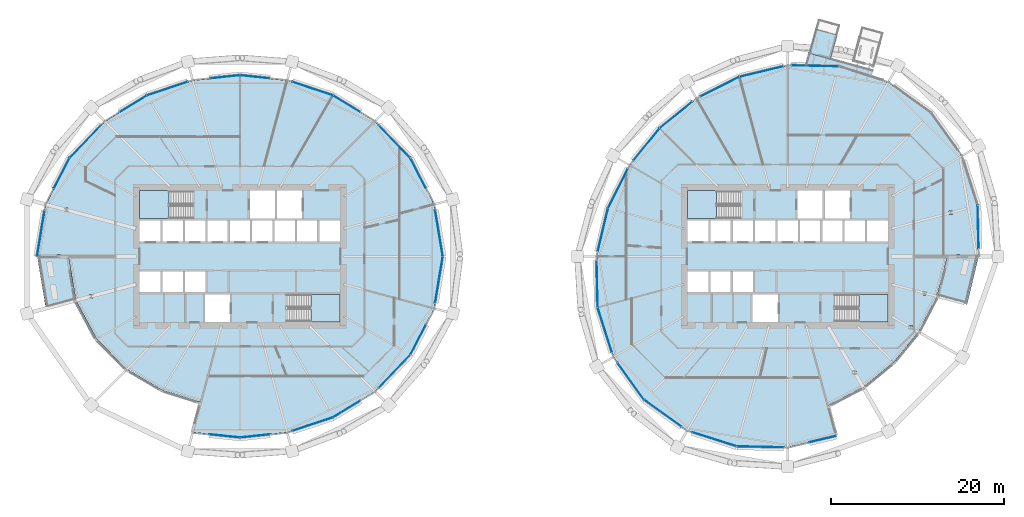
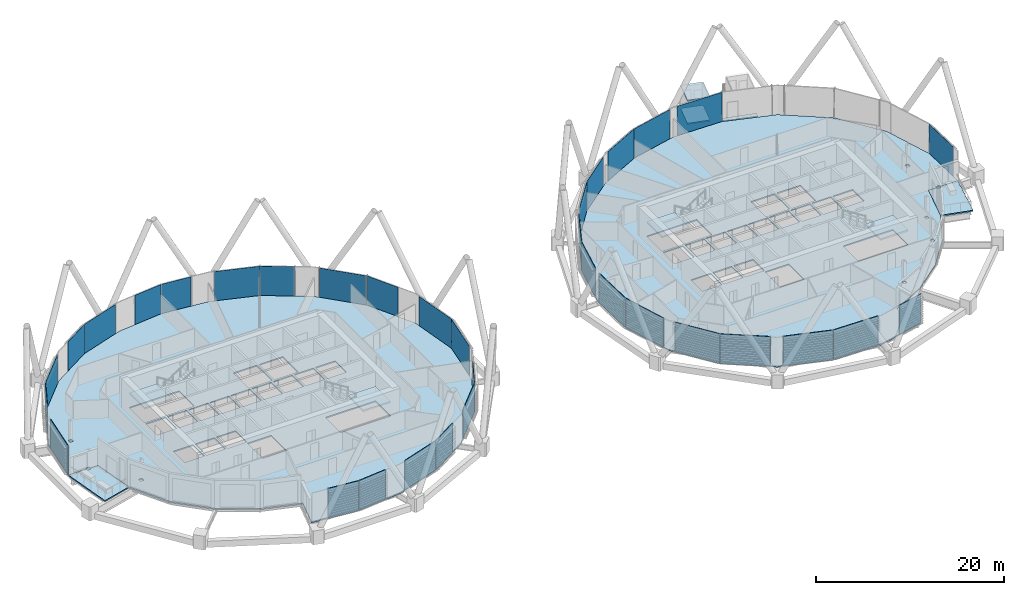
# One storey, part 21 of 38: 34 plates, 11 slabs, 6 elements without a shape of their own.
"""IFC4 building model written with IfcOpenShell, lengths in metres."""

from ifc_helpers import new_model, si_unit, direction, frame, origin, origin_2d, place, context, subcontext, project, spatial, polyline, rectangle, outline, extrude, material, layer, layer_set, type_object, element, aggregate, save


model = new_model("IFC4")

# Units and contexts
model_context = context("Model", 3, precision=1e-05, world=origin(), true_north=direction((0.0, 1.0)))
body_context = subcontext(model_context, "Body", "Model", "MODEL_VIEW")
ifc_project = project(units=[si_unit("LENGTHUNIT", "METRE"), si_unit("AREAUNIT", "SQUARE_METRE"), si_unit("VOLUMEUNIT", "CUBIC_METRE"), si_unit("PLANEANGLEUNIT", "RADIAN"), si_unit("MASSUNIT", "GRAM", prefix="KILO")], contexts=[model_context])

# Site, building, storey
site_placement = place(None, origin())
site = spatial("IfcSite", under=ifc_project, at=site_placement, CompositionType="ELEMENT")
building_placement = place(site_placement, origin())
building = spatial("IfcBuilding", under=site, at=building_placement, Name="Rimbun Link Towers", CompositionType="ELEMENT")
storey_placement = place(building_placement, frame((0.0, 0.0, 93.0)))
storey = spatial("IfcBuildingStorey", under=building, at=storey_placement, Name="L22", CompositionType="ELEMENT", Elevation=93.0)

# Slabs
ifc_material_1 = material(Name="Insulated metal floor panel on steel frame", Category="steel")
ifc_layer_1 = layer(ifc_material_1, 0.159912109375)
ifc_layer_set_1 = layer_set([ifc_layer_1], Name="CAPSULE balcony panel 160")
slab_type_1 = type_object("IfcSlabType", Name="CAPSULE balcony panel 160", PredefinedType="FLOOR", material=ifc_layer_set_1)
slab_1_placement = place(storey_placement, frame((0.0, 0.0, -0.159912109375)))
element("IfcSlab", 1, at=slab_1_placement, inside=storey, type_object=slab_type_1, Name="CAPSULE D222 gallery floor", PredefinedType="FLOOR", context=body_context, shape_type="SweptSolid", body=[
    extrude(outline(polyline([(38.07373046875, 22.0263671875), (38.05859375, 21.978515625), (39.430908203125, 21.542236328125), (39.446044921875, 21.58984375), (41.435546875, 20.95703125), (41.594970703125, 21.53662109375), (34.28759765625, 23.543701171875), (33.927734375, 22.233154296875), (37.6708984375, 22.154296875), (38.07373046875, 22.0263671875)])), origin(), (0.0, 0.0, 1.0), 0.159912109375),
])
ifc_material_2 = material(Name="Insulated metal floor panel on steel frame", Category="steel")
ifc_layer_2 = layer(ifc_material_2, 0.159912109375)
ifc_layer_set_2 = layer_set([ifc_layer_2], Name="CAPSULE floor panel 160")
slab_type_2 = type_object("IfcSlabType", Name="CAPSULE floor panel 160", PredefinedType="FLOOR", material=ifc_layer_set_2)
slab_2_placement = place(storey_placement, frame((0.0, 0.0, -0.159912109375)))
element("IfcSlab", 2, at=slab_2_placement, inside=storey, type_object=slab_type_2, Name="CAPSULE D222.01 floor panel", PredefinedType="FLOOR", context=body_context, shape_type="SweptSolid", body=[
    extrude(outline(polyline([(37.466552734375, 25.677978515625), (35.055908203125, 26.340087890625), (34.28759765625, 23.543701171875), (36.698486328125, 22.881591796875), (37.466552734375, 25.677978515625)])), origin(), (0.0, 0.0, 1.0), 0.159912109375),
])
ifc_material_3 = material(Name="Insulated metal roof panel with terracotta fascia", Category="masonry")
ifc_layer_3 = layer(ifc_material_3, 0.14990234375)
ifc_layer_set_3 = layer_set([ifc_layer_3], Name="CAPSULE roof panel 150")
slab_type_3 = type_object("IfcSlabType", Name="CAPSULE roof panel 150", PredefinedType="ROOF", material=ifc_layer_set_3)
slab_3_placement = place(storey_placement, frame((0.0, 0.0, 2.85009765625)))
element("IfcSlab", 3, at=slab_3_placement, inside=storey, type_object=slab_type_3, Name="CAPSULE D222.01 roof panel", PredefinedType="ROOF", context=body_context, shape_type="SweptSolid", body=[
    extrude(outline(polyline([(37.466552734375, 25.677978515625), (35.055908203125, 26.340087890625), (34.28759765625, 23.543701171875), (36.698486328125, 22.881591796875), (37.466552734375, 25.677978515625)])), origin(), (0.0, 0.0, 1.0), 0.14990234375),
])
ifc_material_4 = material(Name="Concrete C35/45", Category="concrete")
ifc_layer_4 = layer(ifc_material_4, 0.159912109375)
ifc_layer_set_4 = layer_set([ifc_layer_4], Name="COMPOSITE FLOOR 160")
slab_type_4 = type_object("IfcSlabType", Name="COMPOSITE FLOOR 160", PredefinedType="FLOOR", material=ifc_layer_set_4)
slab_4_placement = place(storey_placement, frame((0.0, 0.0, -0.159912109375)))
element("IfcSlab", 4, at=slab_4_placement, inside=storey, type_object=slab_type_4, Name="Floor slab T1 L22", PredefinedType="FLOOR", context=body_context, shape_type="SweptSolid", body=[
    extrude(outline(polyline([(-55.244384765625, 0.0), (-54.252685546875, 6.029541015625), (-51.47900390625, 11.390380859375), (-47.397705078125, 15.647705078125), (-42.514892578125, 18.6455078125), (-37.216552734375, 20.4013671875), (-31.75, 20.97705078125), (-26.283447265625, 20.4013671875), (-20.985107421875, 18.6455078125), (-16.102294921875, 15.647705078125), (-12.02099609375, 11.390380859375), (-9.247314453125, 6.029541015625), (-8.255615234375, 0.0), (-9.247314453125, -6.029541015625), (-12.02099609375, -11.390380859375), (-16.102294921875, -15.647705078125), (-20.985107421875, -18.6455078125), (-26.283447265625, -20.4013671875), (-31.75, -20.97705078125), (-37.216552734375, -20.4013671875), (-36.284912109375, -16.924072265625), (-40.715087890625, -15.52783203125), (-44.85205078125, -13.10205078125), (-48.361083984375, -9.590576171875), (-50.775390625, -5.097900390625), (-51.644287109375, 0.0), (-52.5751953125, 0.0), (-52.5751953125, 0.19677734375), (-52.974365234375, 0.19677734375), (-52.974365234375, 0.0), (-55.244384765625, 0.0)]), holes=[polyline([(-48.775390625, -4.812255859375), (-48.775390625, -4.418701171875), (-49.17431640625, -4.418701171875), (-49.17431640625, -4.812255859375), (-48.775390625, -4.812255859375)]), polyline([(-40.95556640625, -4.14990234375), (-40.95556640625, -1.75), (-43.375, -1.75), (-43.375, -4.14990234375), (-40.95556640625, -4.14990234375)]), polyline([(-38.361083984375, -4.14990234375), (-38.361083984375, -1.75), (-40.70556640625, -1.75), (-40.70556640625, -4.14990234375), (-38.361083984375, -4.14990234375)]), polyline([(-38.111083984375, -4.14990234375), (-35.7666015625, -4.14990234375), (-35.7666015625, -1.75), (-38.111083984375, -1.75), (-38.111083984375, -4.14990234375)]), polyline([(-40.95556640625, 1.75), (-40.95556640625, 4.14990234375), (-43.375, 4.14990234375), (-43.375, 1.75), (-40.95556640625, 1.75)]), polyline([(-38.361083984375, 1.75), (-38.361083984375, 4.14990234375), (-40.70556640625, 4.14990234375), (-40.70556640625, 1.75), (-38.361083984375, 1.75)]), polyline([(-35.7666015625, 1.75), (-35.7666015625, 4.14990234375), (-38.111083984375, 4.14990234375), (-38.111083984375, 1.75), (-35.7666015625, 1.75)]), polyline([(-52.065185546875, 5.193115234375), (-51.666259765625, 5.193115234375), (-51.666259765625, 5.5869140625), (-52.065185546875, 5.5869140625), (-52.065185546875, 5.193115234375)]), polyline([(-43.375, 4.39990234375), (-37.260009765625, 4.39990234375), (-37.260009765625, 7.625), (-43.375, 7.625), (-43.375, 4.39990234375)]), polyline([(-32.89990234375, -7.625), (-32.89990234375, -4.39990234375), (-35.800048828125, -4.39990234375), (-35.800048828125, -7.625), (-32.89990234375, -7.625)]), polyline([(-20.125, -7.625), (-20.125, -4.39990234375), (-26.239990234375, -4.39990234375), (-26.239990234375, -7.625), (-20.125, -7.625)]), polyline([(-33.172119140625, 1.75), (-33.172119140625, 4.14990234375), (-35.5166015625, 4.14990234375), (-35.5166015625, 1.75), (-33.172119140625, 1.75)]), polyline([(-32.922119140625, 1.75), (-30.577880859375, 1.75), (-30.577880859375, 4.14990234375), (-32.922119140625, 4.14990234375), (-32.922119140625, 1.75)]), polyline([(-30.327880859375, 1.75), (-27.9833984375, 1.75), (-27.9833984375, 4.14990234375), (-30.327880859375, 4.14990234375), (-30.327880859375, 1.75)]), polyline([(-25.388916015625, 1.75), (-25.388916015625, 4.14990234375), (-27.7333984375, 4.14990234375), (-27.7333984375, 1.75), (-25.388916015625, 1.75)]), polyline([(-22.79443359375, 1.75), (-22.79443359375, 4.14990234375), (-25.138916015625, 4.14990234375), (-25.138916015625, 1.75), (-22.79443359375, 1.75)]), polyline([(-20.125, 1.75), (-20.125, 4.14990234375), (-22.54443359375, 4.14990234375), (-22.54443359375, 1.75), (-20.125, 1.75)]), polyline([(-30.60009765625, 4.39990234375), (-27.699951171875, 4.39990234375), (-27.699951171875, 7.625), (-30.60009765625, 7.625), (-30.60009765625, 4.39990234375)]), polyline([(-27.449951171875, 4.39990234375), (-24.550048828125, 4.39990234375), (-24.550048828125, 7.625), (-27.449951171875, 7.625), (-27.449951171875, 4.39990234375)])]), origin(), (0.0, 0.0, 1.0), 0.159912109375),
])
slab_5_placement = place(storey_placement, frame((0.0, 0.0, -0.159912109375)))
element("IfcSlab", 5, at=slab_5_placement, inside=storey, type_object=slab_type_4, Name="Floor slab T2 L22", PredefinedType="FLOOR", context=body_context, shape_type="SweptSolid", body=[
    extrude(outline(polyline([(50.279052734375, 0.0), (49.069091796875, -4.640625), (46.923583984375, -8.760498046875), (44.037353515625, -12.287353515625), (40.510498046875, -15.173583984375), (36.390625, -17.319091796875), (37.322509765625, -20.79638671875), (31.75, -22.12890625), (25.853759765625, -22.0048828125), (20.101806640625, -20.175537109375), (15.136962890625, -16.613037109375), (11.574462890625, -11.648193359375), (9.7451171875, -5.896240234375), (9.62109375, 0.0), (10.95361328125, 5.572509765625), (13.458740234375, 10.560546875), (16.9169921875, 14.8330078125), (21.189453125, 18.291259765625), (26.177490234375, 20.79638671875), (31.75, 22.12890625), (37.646240234375, 22.0048828125), (43.398193359375, 20.175537109375), (48.363037109375, 16.613037109375), (51.925537109375, 11.648193359375), (53.7548828125, 5.896240234375), (53.87890625, 0.0), (51.707275390625, 0.0), (51.707275390625, 0.19677734375), (51.308349609375, 0.19677734375), (51.308349609375, 0.0), (50.279052734375, 0.0)]), holes=[polyline([(30.60009765625, -7.625), (30.60009765625, -4.39990234375), (27.699951171875, -4.39990234375), (27.699951171875, -7.625), (30.60009765625, -7.625)]), polyline([(22.54443359375, -4.14990234375), (22.54443359375, -1.75), (20.125, -1.75), (20.125, -4.14990234375), (22.54443359375, -4.14990234375)]), polyline([(25.138916015625, -4.14990234375), (25.138916015625, -1.75), (22.79443359375, -1.75), (22.79443359375, -4.14990234375), (25.138916015625, -4.14990234375)]), polyline([(25.388916015625, -4.14990234375), (27.7333984375, -4.14990234375), (27.7333984375, -1.75), (25.388916015625, -1.75), (25.388916015625, -4.14990234375)]), polyline([(20.125, 1.75), (22.54443359375, 1.75), (22.54443359375, 4.14990234375), (20.125, 4.14990234375), (20.125, 1.75)]), polyline([(25.138916015625, 1.75), (25.138916015625, 4.14990234375), (22.79443359375, 4.14990234375), (22.79443359375, 1.75), (25.138916015625, 1.75)]), polyline([(25.388916015625, 1.75), (27.7333984375, 1.75), (27.7333984375, 4.14990234375), (25.388916015625, 4.14990234375), (25.388916015625, 1.75)]), polyline([(27.9833984375, 1.75), (30.327880859375, 1.75), (30.327880859375, 4.14990234375), (27.9833984375, 4.14990234375), (27.9833984375, 1.75)]), polyline([(32.922119140625, 1.75), (32.922119140625, 4.14990234375), (30.577880859375, 4.14990234375), (30.577880859375, 1.75), (32.922119140625, 1.75)]), polyline([(33.172119140625, 1.75), (35.5166015625, 1.75), (35.5166015625, 4.14990234375), (33.172119140625, 4.14990234375), (33.172119140625, 1.75)]), polyline([(20.125, 4.39990234375), (26.239990234375, 4.39990234375), (26.239990234375, 7.625), (20.125, 7.625), (20.125, 4.39990234375)]), polyline([(39.718994140625, -13.65380859375), (39.718994140625, -13.260009765625), (39.31982421875, -13.260009765625), (39.31982421875, -13.65380859375), (39.718994140625, -13.65380859375)]), polyline([(46.206298828125, -8.427978515625), (46.206298828125, -8.034423828125), (45.807373046875, -8.034423828125), (45.807373046875, -8.427978515625), (46.206298828125, -8.427978515625)]), polyline([(43.375, -7.625), (43.375, -4.39990234375), (37.260009765625, -4.39990234375), (37.260009765625, -7.625), (43.375, -7.625)]), polyline([(47.410400390625, -4.446533203125), (47.8095703125, -4.446533203125), (47.8095703125, -4.052978515625), (47.410400390625, -4.052978515625), (47.410400390625, -4.446533203125)]), polyline([(38.111083984375, 1.75), (38.111083984375, 4.14990234375), (35.7666015625, 4.14990234375), (35.7666015625, 1.75), (38.111083984375, 1.75)]), polyline([(38.361083984375, 1.75), (40.70556640625, 1.75), (40.70556640625, 4.14990234375), (38.361083984375, 4.14990234375), (38.361083984375, 1.75)]), polyline([(40.95556640625, 1.75), (43.375, 1.75), (43.375, 4.14990234375), (40.95556640625, 4.14990234375), (40.95556640625, 1.75)]), polyline([(50.85302734375, 4.868408203125), (50.85302734375, 5.261962890625), (50.4541015625, 5.261962890625), (50.4541015625, 4.868408203125), (50.85302734375, 4.868408203125)]), polyline([(32.89990234375, 4.39990234375), (35.800048828125, 4.39990234375), (35.800048828125, 7.625), (32.89990234375, 7.625), (32.89990234375, 4.39990234375)]), polyline([(36.050048828125, 4.39990234375), (38.949951171875, 4.39990234375), (38.949951171875, 7.625), (36.050048828125, 7.625), (36.050048828125, 4.39990234375)])]), origin(), (0.0, 0.0, 1.0), 0.159912109375),
])

# Curtain wall, plates
ifc_material_5 = material(Name="Aluminium 6063-T6 and low-iron glass", Category="aluminium")
curtain_wall_type = type_object("IfcCurtainWallType", Name="CW1-Z2 unitised vision wall (zone 2)", PredefinedType="NOTDEFINED", material=ifc_material_5)
curtain_wall_1_placement = place(storey_placement, origin())
curtain_wall_1 = element("IfcCurtainWall", 6, at=curtain_wall_1_placement, inside=storey, type_object=curtain_wall_type, Name="CW1 L22 T1", PredefinedType="NOTDEFINED")
ifc_material_6 = material(Name="Low-iron glass, laminated low-e unit", Category="glass")
ifc_layer_5 = layer(ifc_material_6, 0.028076171875)
ifc_layer_set_5 = layer_set([ifc_layer_5], Name="CW1 panel Low-iron glass 28")
plate_type = type_object("IfcPlateType", Name="CW1 panel Low-iron glass 28", PredefinedType="CURTAIN_PANEL", material=ifc_layer_set_5)
plate_1_placement = place(storey_placement, frame((-8.684814453125, 2.6962890625, 0.0), z_axis=(0.0, 0.0, 1.0), x_axis=(0.162259642251, -0.986748097792, 0.0)))
plate_1 = element("IfcPlate", 7, at=plate_1_placement, type_object=plate_type, Name="CW1 panel", PredefinedType="CURTAIN_PANEL", context=body_context, shape_type="SweptSolid", body=[
    extrude(rectangle(XDim=5.420654296875, YDim=0.028076171875, at=origin_2d()), origin(), (0.0, 0.0, 1.0), 3.800048828125),
])
plate_2_placement = place(storey_placement, frame((-11.104248046875, 9.64892578125, 0.0), z_axis=(0.0, 0.0, 1.0), x_axis=(0.45955632125, -0.888148629228, 0.0)))
plate_2 = element("IfcPlate", 8, at=plate_2_placement, type_object=plate_type, Name="CW1 panel", PredefinedType="CURTAIN_PANEL", context=body_context, shape_type="SweptSolid", body=[
    extrude(rectangle(XDim=3.89599609375, YDim=0.028076171875, at=origin_2d()), origin(), (0.0, 0.0, 1.0), 3.800048828125),
])
plate_3_placement = place(storey_placement, frame((-13.843994140625, 13.312255859375, 0.0), z_axis=(0.0, 0.0, 1.0), x_axis=(0.692044930546, -0.721854427226, 0.0)))
plate_3 = element("IfcPlate", 9, at=plate_3_placement, type_object=plate_type, Name="CW1 panel", PredefinedType="CURTAIN_PANEL", context=body_context, shape_type="SweptSolid", body=[
    extrude(rectangle(XDim=5.257568359375, YDim=0.028076171875, at=origin_2d()), origin(), (0.0, 0.0, 1.0), 3.800048828125),
])
plate_4_placement = place(storey_placement, frame((-19.388671875, 17.681640625, 0.0), z_axis=(0.0, 0.0, 1.0), x_axis=(0.852185835011, -0.523239240316, 0.0)))
plate_4 = element("IfcPlate", 10, at=plate_4_placement, type_object=plate_type, Name="CW1 panel", PredefinedType="CURTAIN_PANEL", context=body_context, shape_type="SweptSolid", body=[
    extrude(rectangle(XDim=3.689453125, YDim=0.028076171875, at=origin_2d()), origin(), (0.0, 0.0, 1.0), 3.800048828125),
])
plate_5_placement = place(storey_placement, frame((-23.344970703125, 19.4423828125, 0.0), z_axis=(0.0, 0.0, 1.0), x_axis=(0.949238989505, -0.314555783293, 0.0)))
plate_5 = element("IfcPlate", 11, at=plate_5_placement, type_object=plate_type, Name="CW1 panel", PredefinedType="CURTAIN_PANEL", context=body_context, shape_type="SweptSolid", body=[
    extrude(rectangle(XDim=4.94189453125, YDim=0.028076171875, at=origin_2d()), origin(), (0.0, 0.0, 1.0), 3.800048828125),
])
plate_6_placement = place(storey_placement, frame((-30.009765625, 20.807861328125, 0.0), z_axis=(0.0, 0.0, 1.0), x_axis=(0.994500168315, -0.104734976112, 0.0)))
plate_6 = element("IfcPlate", 12, at=plate_6_placement, type_object=plate_type, Name="CW1 panel", PredefinedType="CURTAIN_PANEL", context=body_context, shape_type="SweptSolid", body=[
    extrude(rectangle(XDim=3.456787109375, YDim=0.028076171875, at=origin_2d()), origin(), (0.0, 0.0, 1.0), 3.800048828125),
])
plate_7_placement = place(storey_placement, frame((-33.490234375, 20.807861328125, 0.0), z_axis=(0.0, 0.0, 1.0), x_axis=(0.994500168315, 0.104734976112, 0.0)))
plate_7 = element("IfcPlate", 13, at=plate_7_placement, type_object=plate_type, Name="CW1 panel", PredefinedType="CURTAIN_PANEL", context=body_context, shape_type="SweptSolid", body=[
    extrude(rectangle(XDim=3.456787109375, YDim=0.028076171875, at=origin_2d()), origin(), (0.0, 0.0, 1.0), 3.800048828125),
])
plate_8_placement = place(storey_placement, frame((-40.155029296875, 19.4423828125, 0.0), z_axis=(0.0, 0.0, 1.0), x_axis=(0.949238989505, 0.314555783293, 0.0)))
plate_8 = element("IfcPlate", 14, at=plate_8_placement, type_object=plate_type, Name="CW1 panel", PredefinedType="CURTAIN_PANEL", context=body_context, shape_type="SweptSolid", body=[
    extrude(rectangle(XDim=4.94189453125, YDim=0.028076171875, at=origin_2d()), origin(), (0.0, 0.0, 1.0), 3.800048828125),
])
plate_9_placement = place(storey_placement, frame((-44.111328125, 17.681640625, 0.0), z_axis=(0.0, 0.0, 1.0), x_axis=(0.852185835011, 0.523239240316, 0.0)))
plate_9 = element("IfcPlate", 15, at=plate_9_placement, type_object=plate_type, Name="CW1 panel", PredefinedType="CURTAIN_PANEL", context=body_context, shape_type="SweptSolid", body=[
    extrude(rectangle(XDim=3.689453125, YDim=0.028076171875, at=origin_2d()), origin(), (0.0, 0.0, 1.0), 3.800048828125),
])
plate_10_placement = place(storey_placement, frame((-49.656005859375, 13.312255859375, 0.0), z_axis=(0.0, 0.0, 1.0), x_axis=(0.692044930546, 0.721854427226, 0.0)))
plate_10 = element("IfcPlate", 16, at=plate_10_placement, type_object=plate_type, Name="CW1 panel", PredefinedType="CURTAIN_PANEL", context=body_context, shape_type="SweptSolid", body=[
    extrude(rectangle(XDim=5.257568359375, YDim=0.028076171875, at=origin_2d()), origin(), (0.0, 0.0, 1.0), 3.800048828125),
])
plate_11_placement = place(storey_placement, frame((-52.4072265625, 9.626953125, 0.0), z_axis=(0.0, 0.0, 1.0), x_axis=(0.45955632125, 0.888148629228, 0.0)))
plate_11 = element("IfcPlate", 17, at=plate_11_placement, type_object=plate_type, Name="CW1 panel", PredefinedType="CURTAIN_PANEL", context=body_context, shape_type="SweptSolid", body=[
    extrude(rectangle(XDim=3.946044921875, YDim=0.028076171875, at=origin_2d()), origin(), (0.0, 0.0, 1.0), 3.800048828125),
])
plate_12_placement = place(storey_placement, frame((-54.819091796875, 2.671630859375, 0.0), z_axis=(0.0, 0.0, 1.0), x_axis=(0.162259642251, 0.986748097792, 0.0)))
plate_12 = element("IfcPlate", 18, at=plate_12_placement, type_object=plate_type, Name="CW1 panel", PredefinedType="CURTAIN_PANEL", context=body_context, shape_type="SweptSolid", body=[
    extrude(rectangle(XDim=5.37060546875, YDim=0.028076171875, at=origin_2d()), origin(), (0.0, 0.0, 1.0), 3.800048828125),
])
plate_13_placement = place(storey_placement, frame((-33.5400390625, -20.802490234375, 0.0), z_axis=(0.0, 0.0, 1.0), x_axis=(-0.994500168315, 0.104734976112, 0.0)))
plate_13 = element("IfcPlate", 19, at=plate_13_placement, type_object=plate_type, Name="CW1 panel", PredefinedType="CURTAIN_PANEL", context=body_context, shape_type="SweptSolid", body=[
    extrude(rectangle(XDim=3.556640625, YDim=0.028076171875, at=origin_2d()), origin(), (0.0, 0.0, 1.0), 3.800048828125),
])
plate_14_placement = place(storey_placement, frame((-30.009765625, -20.807861328125, 0.0), z_axis=(0.0, 0.0, 1.0), x_axis=(-0.994500168315, -0.104734976112, 0.0)))
plate_14 = element("IfcPlate", 20, at=plate_14_placement, type_object=plate_type, Name="CW1 panel", PredefinedType="CURTAIN_PANEL", context=body_context, shape_type="SweptSolid", body=[
    extrude(rectangle(XDim=3.456787109375, YDim=0.028076171875, at=origin_2d()), origin(), (0.0, 0.0, 1.0), 3.800048828125),
])
plate_15_placement = place(storey_placement, frame((-23.344970703125, -19.4423828125, 0.0), z_axis=(0.0, 0.0, 1.0), x_axis=(-0.949238989505, -0.314555783293, 0.0)))
plate_15 = element("IfcPlate", 21, at=plate_15_placement, type_object=plate_type, Name="CW1 panel", PredefinedType="CURTAIN_PANEL", context=body_context, shape_type="SweptSolid", body=[
    extrude(rectangle(XDim=4.94189453125, YDim=0.028076171875, at=origin_2d()), origin(), (0.0, 0.0, 1.0), 3.800048828125),
])
plate_16_placement = place(storey_placement, frame((-19.388671875, -17.681640625, 0.0), z_axis=(0.0, 0.0, 1.0), x_axis=(-0.852185835011, -0.523239240316, 0.0)))
plate_16 = element("IfcPlate", 22, at=plate_16_placement, type_object=plate_type, Name="CW1 panel", PredefinedType="CURTAIN_PANEL", context=body_context, shape_type="SweptSolid", body=[
    extrude(rectangle(XDim=3.689453125, YDim=0.028076171875, at=origin_2d()), origin(), (0.0, 0.0, 1.0), 3.800048828125),
])
plate_17_placement = place(storey_placement, frame((-13.843994140625, -13.312255859375, 0.0), z_axis=(0.0, 0.0, 1.0), x_axis=(-0.692044930546, -0.721854427226, 0.0)))
plate_17 = element("IfcPlate", 23, at=plate_17_placement, type_object=plate_type, Name="CW1 panel", PredefinedType="CURTAIN_PANEL", context=body_context, shape_type="SweptSolid", body=[
    extrude(rectangle(XDim=5.257568359375, YDim=0.028076171875, at=origin_2d()), origin(), (0.0, 0.0, 1.0), 3.800048828125),
])
plate_18_placement = place(storey_placement, frame((-11.104248046875, -9.64892578125, 0.0), z_axis=(0.0, 0.0, 1.0), x_axis=(-0.45955632125, -0.888148629228, 0.0)))
plate_18 = element("IfcPlate", 24, at=plate_18_placement, type_object=plate_type, Name="CW1 panel", PredefinedType="CURTAIN_PANEL", context=body_context, shape_type="SweptSolid", body=[
    extrude(rectangle(XDim=3.89599609375, YDim=0.028076171875, at=origin_2d()), origin(), (0.0, 0.0, 1.0), 3.800048828125),
])
plate_19_placement = place(storey_placement, frame((-8.684814453125, -2.6962890625, 0.0), z_axis=(0.0, 0.0, 1.0), x_axis=(-0.162259642251, -0.986748097792, 0.0)))
plate_19 = element("IfcPlate", 25, at=plate_19_placement, type_object=plate_type, Name="CW1 panel", PredefinedType="CURTAIN_PANEL", context=body_context, shape_type="SweptSolid", body=[
    extrude(rectangle(XDim=5.420654296875, YDim=0.028076171875, at=origin_2d()), origin(), (0.0, 0.0, 1.0), 3.800048828125),
])
aggregate(curtain_wall_1, [plate_1, plate_2, plate_3, plate_4, plate_5, plate_6, plate_7, plate_8, plate_9, plate_10, plate_11, plate_12, plate_13, plate_14, plate_15, plate_16, plate_17, plate_18, plate_19])

curtain_wall_2_placement = place(storey_placement, origin())
curtain_wall_2 = element("IfcCurtainWall", 26, at=curtain_wall_2_placement, inside=storey, type_object=curtain_wall_type, Name="CW1 L22 T2", PredefinedType="NOTDEFINED")
plate_20_placement = place(storey_placement, frame((34.92333984375, 22.076171875, 0.0), z_axis=(0.0, 0.0, 1.0), x_axis=(0.999778219026, -0.021059742681, 0.0)))
plate_20 = element("IfcPlate", 27, at=plate_20_placement, type_object=plate_type, Name="CW1 panel", PredefinedType="CURTAIN_PANEL", context=body_context, shape_type="SweptSolid", body=[
    extrude(rectangle(XDim=5.407470703125, YDim=0.028076171875, at=origin_2d()), origin(), (0.0, 0.0, 1.0), 3.800048828125),
])
plate_21_placement = place(storey_placement, frame((28.71728515625, 21.418212890625, 0.0), z_axis=(0.0, 0.0, 1.0), x_axis=(0.972572197016, 0.232601207201, 0.0)))
plate_21 = element("IfcPlate", 28, at=plate_21_placement, type_object=plate_type, Name="CW1 panel", PredefinedType="CURTAIN_PANEL", context=body_context, shape_type="SweptSolid", body=[
    extrude(rectangle(XDim=5.189453125, YDim=0.028076171875, at=origin_2d()), origin(), (0.0, 0.0, 1.0), 3.800048828125),
])
plate_22_placement = place(storey_placement, frame((23.87841796875, 19.6572265625, 0.0), z_axis=(0.0, 0.0, 1.0), x_axis=(0.893641116942, 0.448782301468, 0.0)))
plate_22 = element("IfcPlate", 29, at=plate_22_placement, type_object=plate_type, Name="CW1 panel", PredefinedType="CURTAIN_PANEL", context=body_context, shape_type="SweptSolid", body=[
    extrude(rectangle(XDim=5.091796875, YDim=0.028076171875, at=origin_2d()), origin(), (0.0, 0.0, 1.0), 3.800048828125),
])
plate_23_placement = place(storey_placement, frame((18.811279296875, 16.38427734375, 0.0), z_axis=(0.0, 0.0, 1.0), x_axis=(0.777279609946, 0.629155313069, 0.0)))
plate_23 = element("IfcPlate", 30, at=plate_23_placement, type_object=plate_type, Name="CW1 panel", PredefinedType="CURTAIN_PANEL", context=body_context, shape_type="SweptSolid", body=[
    extrude(rectangle(XDim=4.856689453125, YDim=0.028076171875, at=origin_2d()), origin(), (0.0, 0.0, 1.0), 3.800048828125),
])
plate_24_placement = place(storey_placement, frame((15.38134765625, 12.958251953125, 0.0), z_axis=(0.0, 0.0, 1.0), x_axis=(0.629155313069, 0.777279609946, 0.0)))
plate_24 = element("IfcPlate", 31, at=plate_24_placement, type_object=plate_type, Name="CW1 panel", PredefinedType="CURTAIN_PANEL", context=body_context, shape_type="SweptSolid", body=[
    extrude(rectangle(XDim=4.806640625, YDim=0.028076171875, at=origin_2d()), origin(), (0.0, 0.0, 1.0), 3.800048828125),
])
plate_25_placement = place(storey_placement, frame((12.0927734375, 7.87158203125, 0.0), z_axis=(0.0, 0.0, 1.0), x_axis=(0.448782301468, 0.893641116942, 0.0)))
plate_25 = element("IfcPlate", 32, at=plate_25_placement, type_object=plate_type, Name="CW1 panel", PredefinedType="CURTAIN_PANEL", context=body_context, shape_type="SweptSolid", body=[
    extrude(rectangle(XDim=5.091796875, YDim=0.028076171875, at=origin_2d()), origin(), (0.0, 0.0, 1.0), 3.800048828125),
])
plate_26_placement = place(storey_placement, frame((10.337646484375, 3.056884765625, 0.0), z_axis=(0.0, 0.0, 1.0), x_axis=(0.232601207201, 0.972572197016, 0.0)))
plate_26 = element("IfcPlate", 33, at=plate_26_placement, type_object=plate_type, Name="CW1 panel", PredefinedType="CURTAIN_PANEL", context=body_context, shape_type="SweptSolid", body=[
    extrude(rectangle(XDim=5.1396484375, YDim=0.028076171875, at=origin_2d()), origin(), (0.0, 0.0, 1.0), 3.800048828125),
])
plate_27_placement = place(storey_placement, frame((9.673828125, -3.17333984375, 0.0), z_axis=(0.0, 0.0, 1.0), x_axis=(-0.021059742681, 0.999778219026, 0.0)))
plate_27 = element("IfcPlate", 34, at=plate_27_placement, type_object=plate_type, Name="CW1 panel", PredefinedType="CURTAIN_PANEL", context=body_context, shape_type="SweptSolid", body=[
    extrude(rectangle(XDim=5.407470703125, YDim=0.028076171875, at=origin_2d()), origin(), (0.0, 0.0, 1.0), 3.800048828125),
])
plate_28_placement = place(storey_placement, frame((10.563232421875, -8.514404296875, 0.0), z_axis=(0.0, 0.0, 1.0), x_axis=(-0.30306620433, 0.952969504125, 0.0)))
plate_28 = element("IfcPlate", 35, at=plate_28_placement, type_object=plate_type, Name="CW1 panel", PredefinedType="CURTAIN_PANEL", context=body_context, shape_type="SweptSolid", body=[
    extrude(rectangle(XDim=5.446044921875, YDim=0.028076171875, at=origin_2d()), origin(), (0.0, 0.0, 1.0), 3.800048828125),
])
plate_29_placement = place(storey_placement, frame((13.57763671875, -14.4638671875, 0.0), z_axis=(0.0, 0.0, 1.0), x_axis=(-0.583001588402, 0.812471013588, 0.0)))
plate_29 = element("IfcPlate", 36, at=plate_29_placement, type_object=plate_type, Name="CW1 panel", PredefinedType="CURTAIN_PANEL", context=body_context, shape_type="SweptSolid", body=[
    extrude(rectangle(XDim=5.2705078125, YDim=0.028076171875, at=origin_2d()), origin(), (0.0, 0.0, 1.0), 3.800048828125),
])
plate_30_placement = place(storey_placement, frame((17.306396484375, -18.18701171875, 0.0), z_axis=(0.0, 0.0, 1.0), x_axis=(-0.812471013588, 0.583001588402, 0.0)))
plate_30 = element("IfcPlate", 37, at=plate_30_placement, type_object=plate_type, Name="CW1 panel", PredefinedType="CURTAIN_PANEL", context=body_context, shape_type="SweptSolid", body=[
    extrude(rectangle(XDim=5.320556640625, YDim=0.028076171875, at=origin_2d()), origin(), (0.0, 0.0, 1.0), 3.800048828125),
])
plate_31_placement = place(storey_placement, frame((23.25927734375, -21.1943359375, 0.0), z_axis=(0.0, 0.0, 1.0), x_axis=(-0.952969504125, 0.30306620433, 0.0)))
plate_31 = element("IfcPlate", 38, at=plate_31_placement, type_object=plate_type, Name="CW1 panel", PredefinedType="CURTAIN_PANEL", context=body_context, shape_type="SweptSolid", body=[
    extrude(rectangle(XDim=5.39599609375, YDim=0.028076171875, at=origin_2d()), origin(), (0.0, 0.0, 1.0), 3.800048828125),
])
plate_32_placement = place(storey_placement, frame((28.57666015625, -22.076171875, 0.0), z_axis=(0.0, 0.0, 1.0), x_axis=(-0.999778219026, 0.021059742681, 0.0)))
plate_32 = element("IfcPlate", 39, at=plate_32_placement, type_object=plate_type, Name="CW1 panel", PredefinedType="CURTAIN_PANEL", context=body_context, shape_type="SweptSolid", body=[
    extrude(rectangle(XDim=5.407470703125, YDim=0.028076171875, at=origin_2d()), origin(), (0.0, 0.0, 1.0), 3.800048828125),
])
plate_33_placement = place(storey_placement, frame((35.779541015625, -21.1796875, 0.0), z_axis=(0.0, 0.0, 1.0), x_axis=(-0.972572197016, -0.232601207201, 0.0)))
plate_33 = element("IfcPlate", 40, at=plate_33_placement, type_object=plate_type, Name="CW1 panel", PredefinedType="CURTAIN_PANEL", context=body_context, shape_type="SweptSolid", body=[
    extrude(rectangle(XDim=3.1396484375, YDim=0.028076171875, at=origin_2d()), origin(), (0.0, 0.0, 1.0), 3.800048828125),
])
plate_34_placement = place(storey_placement, frame((53.821533203125, 3.398193359375, 0.0), z_axis=(0.0, 0.0, 1.0), x_axis=(0.021059742681, -0.999778219026, 0.0)))
plate_34 = element("IfcPlate", 41, at=plate_34_placement, type_object=plate_type, Name="CW1 panel", PredefinedType="CURTAIN_PANEL", context=body_context, shape_type="SweptSolid", body=[
    extrude(rectangle(XDim=4.95751953125, YDim=0.028076171875, at=origin_2d()), origin(), (0.0, 0.0, 1.0), 3.800048828125),
])
aggregate(curtain_wall_2, [plate_20, plate_21, plate_22, plate_23, plate_24, plate_25, plate_26, plate_27, plate_28, plate_29, plate_30, plate_31, plate_32, plate_33, plate_34])

# Stair, slab
ifc_material_7 = material(Name="Concrete C40/50", Category="concrete")
stair_type = type_object("IfcStairType", Name="Exit stair 3800 rise", PredefinedType="HALF_TURN_STAIR", material=ifc_material_7)
stair_1_placement = place(storey_placement, origin())
stair_1 = element("IfcStair", 42, at=stair_1_placement, inside=storey, type_object=stair_type, Name="L22 EXIT STAIR A", PredefinedType="HALF_TURN_STAIR")
ifc_material_8 = material(Name="Concrete C40/50", Category="concrete")
ifc_layer_6 = layer(ifc_material_8, 0.199951171875)
ifc_layer_set_6 = layer_set([ifc_layer_6], Name="Stair landing")
slab_type_5 = type_object("IfcSlabType", Name="Stair landing", PredefinedType="LANDING", material=ifc_layer_set_6)
slab_6_placement = place(storey_placement, frame((0.0, 0.0, 1.699951171875)))
slab_6 = element("IfcSlab", 43, at=slab_6_placement, type_object=slab_type_5, Name="ST1 landing 1", PredefinedType="LANDING", context=body_context, shape_type="SweptSolid", body=[
    extrude(outline(polyline([(-40.0, 7.625), (-43.375, 7.625), (-43.375, 4.39990234375), (-40.0, 4.39990234375), (-40.0, 7.625)])), origin(), (0.0, 0.0, 1.0), 0.199951171875),
])
aggregate(stair_1, [slab_6])

stair_2_placement = place(storey_placement, origin())
stair_2 = element("IfcStair", 44, at=stair_2_placement, inside=storey, type_object=stair_type, Name="L22 EXIT STAIR B", PredefinedType="HALF_TURN_STAIR")
slab_7_placement = place(storey_placement, frame((0.0, 0.0, 1.699951171875)))
slab_7 = element("IfcSlab", 45, at=slab_7_placement, type_object=slab_type_5, Name="ST2 landing 1", PredefinedType="LANDING", context=body_context, shape_type="SweptSolid", body=[
    extrude(outline(polyline([(-23.5, -7.625), (-20.125, -7.625), (-20.125, -4.39990234375), (-23.5, -4.39990234375), (-23.5, -7.625)])), origin(), (0.0, 0.0, 1.0), 0.199951171875),
])
aggregate(stair_2, [slab_7])

stair_3_placement = place(storey_placement, origin())
stair_3 = element("IfcStair", 46, at=stair_3_placement, inside=storey, type_object=stair_type, Name="L22 EXIT STAIR A", PredefinedType="HALF_TURN_STAIR")
slab_8_placement = place(storey_placement, frame((0.0, 0.0, 1.699951171875)))
slab_8 = element("IfcSlab", 47, at=slab_8_placement, type_object=slab_type_5, Name="ST3 landing 1", PredefinedType="LANDING", context=body_context, shape_type="SweptSolid", body=[
    extrude(outline(polyline([(23.5, 7.625), (20.125, 7.625), (20.125, 4.39990234375), (23.5, 4.39990234375), (23.5, 7.625)])), origin(), (0.0, 0.0, 1.0), 0.199951171875),
])
aggregate(stair_3, [slab_8])

stair_4_placement = place(storey_placement, origin())
stair_4 = element("IfcStair", 48, at=stair_4_placement, inside=storey, type_object=stair_type, Name="L22 EXIT STAIR B", PredefinedType="HALF_TURN_STAIR")
slab_9_placement = place(storey_placement, frame((0.0, 0.0, 1.699951171875)))
slab_9 = element("IfcSlab", 49, at=slab_9_placement, type_object=slab_type_5, Name="ST4 landing 1", PredefinedType="LANDING", context=body_context, shape_type="SweptSolid", body=[
    extrude(outline(polyline([(40.0, -7.625), (43.375, -7.625), (43.375, -4.39990234375), (40.0, -4.39990234375), (40.0, -7.625)])), origin(), (0.0, 0.0, 1.0), 0.199951171875),
])
aggregate(stair_4, [slab_9])

# Slabs
ifc_material_9 = material(Name="Concrete C35/45", Category="concrete")
ifc_layer_7 = layer(ifc_material_9, 0.159912109375)
ifc_layer_set_7 = layer_set([ifc_layer_7], Name="TERRACE SLAB 160")
slab_type_6 = type_object("IfcSlabType", Name="TERRACE SLAB 160", PredefinedType="FLOOR", material=ifc_layer_set_7)
slab_10_placement = place(storey_placement, frame((0.0, 0.0, -0.159912109375)))
element("IfcSlab", 50, at=slab_10_placement, inside=storey, type_object=slab_type_6, Name="Terrace slab T1 L22", PredefinedType="FLOOR", context=body_context, shape_type="SweptSolid", body=[
    extrude(outline(polyline([(-51.644287109375, 0.0), (-50.775390625, -5.097900390625), (-54.252685546875, -6.029541015625), (-55.244384765625, 0.0), (-52.974365234375, 0.0), (-52.974365234375, -0.19677734375), (-52.5751953125, -0.19677734375), (-52.5751953125, 0.0), (-51.644287109375, 0.0)])), origin(), (0.0, 0.0, 1.0), 0.159912109375),
])
slab_11_placement = place(storey_placement, frame((0.0, 0.0, -0.159912109375)))
element("IfcSlab", 51, at=slab_11_placement, inside=storey, type_object=slab_type_6, Name="Terrace slab T2 L22", PredefinedType="FLOOR", context=body_context, shape_type="SweptSolid", body=[
    extrude(outline(polyline([(53.87890625, 0.0), (52.54638671875, -5.572509765625), (49.069091796875, -4.640625), (50.279052734375, 0.0), (51.308349609375, 0.0), (51.308349609375, -0.19677734375), (51.707275390625, -0.19677734375), (51.707275390625, 0.0), (53.87890625, 0.0)])), origin(), (0.0, 0.0, 1.0), 0.159912109375),
])

save(model, "model.ifc")
